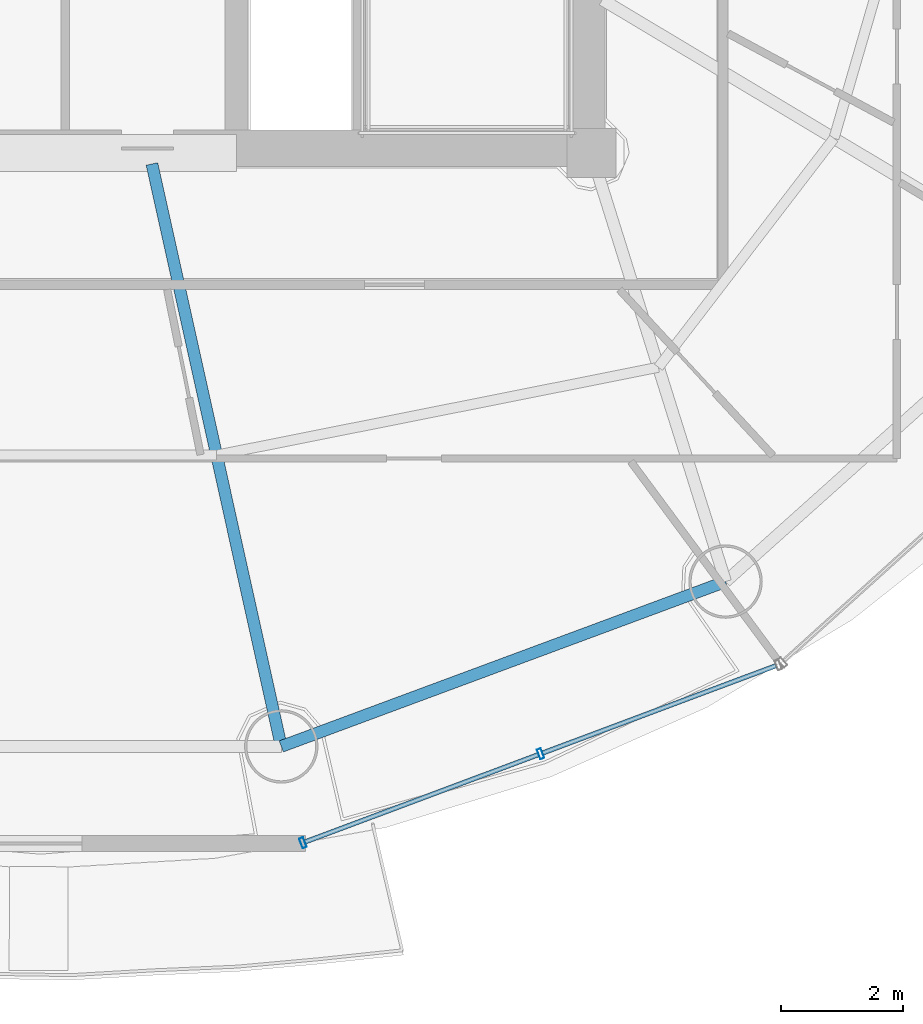
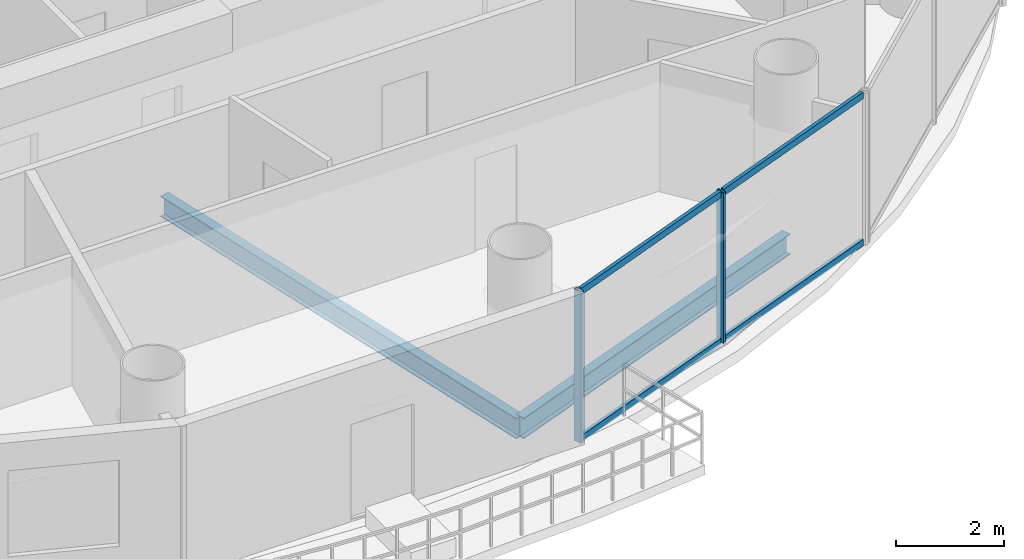
# One storey, part 5 of 26: 6 members, 2 beams, 1 element without a shape of its own.
"""IFC4 building model written with IfcOpenShell, lengths in metres."""

from ifc_helpers import new_model, si_unit, direction, frame, origin, origin_2d, place, context, subcontext, project, spatial, hollow_rectangle, i_section, extrude, source, transform, mapped, material, material_profile, profile_set, type_object, element, aggregate, save


model = new_model("IFC4")

# Units and contexts
model_context = context("Model", 3, precision=1e-05, world=origin(), true_north=direction((-0.2419218956, 0.970295726276)))
body_context = subcontext(model_context, "Body", "Model", "MODEL_VIEW")
ifc_project = project(units=[si_unit("LENGTHUNIT", "METRE"), si_unit("AREAUNIT", "SQUARE_METRE"), si_unit("VOLUMEUNIT", "CUBIC_METRE"), si_unit("PLANEANGLEUNIT", "RADIAN"), si_unit("MASSUNIT", "GRAM", prefix="KILO")], contexts=[model_context])

# Site, building, storey
site_placement = place(None, origin())
site = spatial("IfcSite", under=ifc_project, at=site_placement, CompositionType="ELEMENT")
building_placement = place(site_placement, origin())
building = spatial("IfcBuilding", under=site, at=building_placement, Name="Cobrevalo Terracotta Tower", CompositionType="ELEMENT")
storey_placement = place(building_placement, frame((0.0, 0.0, 213.39990234375)))
storey = spatial("IfcBuildingStorey", under=building, at=storey_placement, Name="L56", CompositionType="ELEMENT", Elevation=213.39990234375)

# Beams
ifc_material_1 = material(Name="Steel S355", Category="steel")
ifc_material_profile_1 = material_profile(ifc_material_1, i_section(OverallWidth=0.194091796875, OverallDepth=0.468994140625, WebThickness=0.011474609375, FlangeThickness=0.0205078125, at=origin_2d()), Name="W 460x106")
ifc_profile_set_1 = profile_set([ifc_material_profile_1], Name="Steel S355")
beam_type_1 = type_object("IfcBeamType", Name="Structural Beam W 460x106 (Steel S355)", PredefinedType="BEAM", material=ifc_profile_set_1)
beam_1_placement = place(storey_placement, frame((41.93115234375, 9.096923828125, -0.49951171875), z_axis=(-0.216782061165, 0.976220025382, 0.0), x_axis=(-0.976220025382, -0.216782061165, 0.0)))
element("IfcBeam", 1, at=beam_1_placement, inside=storey, type_object=beam_type_1, Name="L56 radial floor girder 13", PredefinedType="BEAM", context=body_context, shape_type="SweptSolid", body=[
    extrude(i_section(OverallWidth=0.194091796875, OverallDepth=0.468994140625, WebThickness=0.011474609375, FlangeThickness=0.0205078125, at=origin_2d()), origin(), (0.0, 0.0, 1.0), 9.755126953125),
])
ifc_material_profile_2 = material_profile(ifc_material_1, i_section(OverallWidth=0.194091796875, OverallDepth=0.468994140625, WebThickness=0.011474609375, FlangeThickness=0.0205078125, at=origin_2d()), Name="W 460x106")
ifc_profile_set_2 = profile_set([ifc_material_profile_2], Name="Steel S355")
beam_type_2 = type_object("IfcBeamType", Name="Structural Spandrel W 460x106 (Steel S355)", PredefinedType="SPANDREL", material=ifc_profile_set_2)
beam_2_placement = place(storey_placement, frame((41.93115234375, 9.096923828125, -0.49951171875), z_axis=(0.937545996665, 0.347861328892, 0.0), x_axis=(-0.347861328892, 0.937545996665, 0.0)))
element("IfcBeam", 2, at=beam_2_placement, inside=storey, type_object=beam_type_2, Name="L56 perimeter ring spandrel 13", PredefinedType="SPANDREL", context=body_context, shape_type="SweptSolid", body=[
    extrude(i_section(OverallWidth=0.194091796875, OverallDepth=0.468994140625, WebThickness=0.011474609375, FlangeThickness=0.0205078125, at=origin_2d()), origin(), (0.0, 0.0, 1.0), 7.74755859375),
])

# Curtain wall, members
ifc_material_2 = material(Name="Anodized aluminium", Category="aluminium")
curtain_wall_type = type_object("IfcCurtainWallType", Name="Mid-tower high-wind unitised curtain wall CW-U2", PredefinedType="NOTDEFINED", material=ifc_material_2)
curtain_wall_placement = place(storey_placement, origin())
curtain_wall = element("IfcCurtainWall", 3, at=curtain_wall_placement, inside=storey, type_object=curtain_wall_type, Name="L56 curtain wall CW-L56-S13", PredefinedType="NOTDEFINED")
ifc_material_profile_3 = material_profile(ifc_material_2, hollow_rectangle(XDim=0.074951171875, YDim=0.14990234375, WallThickness=0.00439453125, at=origin_2d()), Name="CWT 75x150")
ifc_profile_set_3 = profile_set([ifc_material_profile_3], Name="Anodized aluminium")
member_type_1 = type_object("IfcMemberType", Name="Tower unitised aluminium transom 75x150", PredefinedType="USERDEFINED", material=ifc_profile_set_3)
shared_shape_1 = source(origin(), body_context, "Body", "SweptSolid", [
    extrude(hollow_rectangle(XDim=0.074951171875, YDim=0.14990234375, WallThickness=0.00439453125, at=origin_2d()), origin(), (0.0, 0.0, 1.0), 4.069580078125),
])
member_1_placement = place(storey_placement, frame((46.20849609375, 8.990478515625, 0.050048828125), z_axis=(0.936548420649, 0.350538237259, 0.0), x_axis=(-0.350538237259, 0.936548420649, 0.0)))
member_1 = element("IfcMember", 4, at=member_1_placement, type_object=member_type_1, Name="CW-L56-S13 transom B02-T1", ObjectType="TRANSOM", PredefinedType="USERDEFINED", context=body_context, shape_type="MappedRepresentation", body=[
    mapped(shared_shape_1, transform((0.0, 0.0, 0.0), scale=1.0)),
])
member_2_placement = place(storey_placement, frame((46.20849609375, 8.990478515625, 3.385009765625), z_axis=(0.936548420649, 0.350538237259, 0.0), x_axis=(-0.350538237259, 0.936548420649, 0.0)))
member_2 = element("IfcMember", 5, at=member_2_placement, type_object=member_type_1, Name="CW-L56-S13 transom B02-T2", ObjectType="TRANSOM", PredefinedType="USERDEFINED", context=body_context, shape_type="MappedRepresentation", body=[
    mapped(shared_shape_1, transform((0.0, 0.0, 0.0), scale=1.0)),
])
shared_shape_2 = source(origin(), body_context, "Body", "SweptSolid", [
    extrude(hollow_rectangle(XDim=0.074951171875, YDim=0.14990234375, WallThickness=0.00439453125, at=origin_2d()), origin(), (0.0, 0.0, 1.0), 4.06982421875),
])
member_3_placement = place(storey_placement, frame((42.322021484375, 7.535888671875, 0.050048828125), z_axis=(0.936555791772, 0.350518542873, 0.0), x_axis=(-0.350518542873, 0.936555791772, 0.0)))
member_3 = element("IfcMember", 6, at=member_3_placement, type_object=member_type_1, Name="CW-L56-S13 transom B01-T1", ObjectType="TRANSOM", PredefinedType="USERDEFINED", context=body_context, shape_type="MappedRepresentation", body=[
    mapped(shared_shape_2, transform((0.0, 0.0, 0.0), scale=1.0)),
])
member_4_placement = place(storey_placement, frame((42.322021484375, 7.535888671875, 3.385009765625), z_axis=(0.936555791772, 0.350518542873, 0.0), x_axis=(-0.350518542873, 0.936555791772, 0.0)))
member_4 = element("IfcMember", 7, at=member_4_placement, type_object=member_type_1, Name="CW-L56-S13 transom B01-T2", ObjectType="TRANSOM", PredefinedType="USERDEFINED", context=body_context, shape_type="MappedRepresentation", body=[
    mapped(shared_shape_2, transform((0.0, 0.0, 0.0), scale=1.0)),
])
ifc_material_profile_4 = material_profile(ifc_material_2, hollow_rectangle(XDim=0.070068359375, YDim=0.169921875, WallThickness=0.00439453125, at=origin_2d()), Name="CWM 70x170")
ifc_profile_set_4 = profile_set([ifc_material_profile_4], Name="Anodized aluminium")
member_type_2 = type_object("IfcMemberType", Name="Upper tower unitised mullion 70x170", PredefinedType="MULLION", material=ifc_profile_set_4)
shared_shape_3 = source(origin(), body_context, "Body", "SweptSolid", [
    extrude(hollow_rectangle(XDim=0.070068359375, YDim=0.169921875, WallThickness=0.00439453125, at=origin_2d()), origin(), (0.0, 0.0, 1.0), 3.43505859375),
])
member_5_placement = place(storey_placement, frame((42.28466796875, 7.52197265625, 0.0), z_axis=(0.0, 0.0, 1.0), x_axis=(0.936556004584, 0.350517974259, 0.0)))
member_5 = element("IfcMember", 8, at=member_5_placement, type_object=member_type_2, Name="CW-L56-S13 vertical mullion 01", PredefinedType="MULLION", context=body_context, shape_type="MappedRepresentation", body=[
    mapped(shared_shape_3, transform((0.0, 0.0, 0.0), scale=1.0)),
])
member_6_placement = place(storey_placement, frame((46.1708984375, 8.9765625, 0.0), z_axis=(0.0, 0.0, 1.0), x_axis=(0.936556004584, 0.350517974259, 0.0)))
member_6 = element("IfcMember", 9, at=member_6_placement, type_object=member_type_2, Name="CW-L56-S13 vertical mullion 02", PredefinedType="MULLION", context=body_context, shape_type="MappedRepresentation", body=[
    mapped(shared_shape_3, transform((0.0, 0.0, 0.0), scale=1.0)),
])
aggregate(curtain_wall, [member_5, member_6, member_3, member_4, member_1, member_2])

save(model, "model.ifc")
